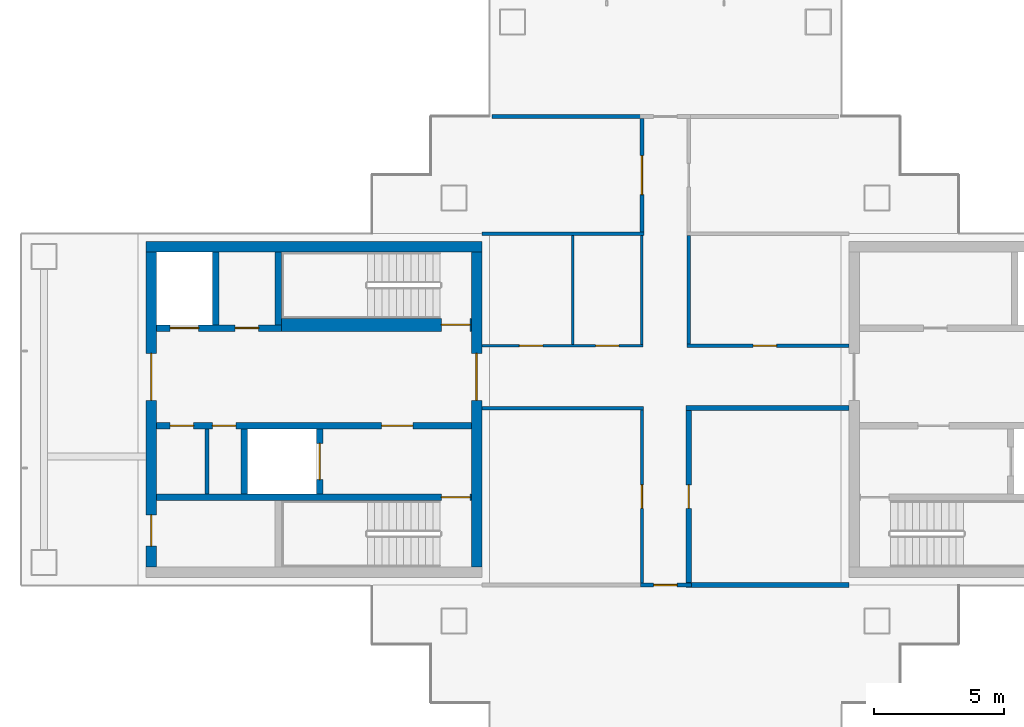
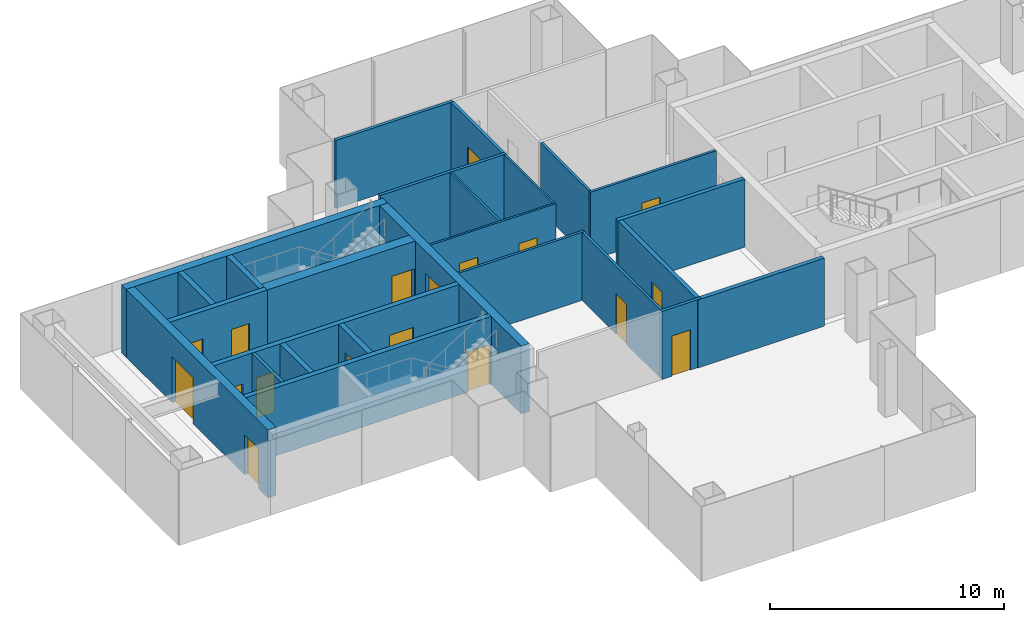
# One storey, part 9 of 16: 26 walls, 18 doors, 18 openings.
"""IFC4 building model written with IfcOpenShell, lengths in metres."""

import ifcopenshell
import ifcopenshell.guid

model = None  # the IFC model being written
_history = None  # IfcOwnerHistory: only IFC2X3 demands one
_inside = {}  # id of a spatial element -> (the spatial element, [elements in it])
_under = {}  # id of a project, library or spatial element -> (it, [spatial elements below it])
_declared = {}  # id of a project -> (the project, [libraries it declares])
_typed = {}  # id of a type object -> (the type object, [elements of that type])
_made_of = {}  # id of a material, layer set ... -> (it, [elements and type objects made of it])


def new_model(schema):
    """Start an empty IFC model of exactly this schema.

    Asked for "IFC4X3", IfcOpenShell would pick the latest addendum, in which some entities
    have other attributes; the version numbers below select the first issue.
    IFC2X3 requires an IfcOwnerHistory on every rooted entity: one is made here for all.
    """
    global model, _history
    if schema == "IFC4X3":
        model = ifcopenshell.file(schema_version=(4, 3, 0, 0))
    else:
        model = ifcopenshell.file(schema=schema)
    _inside.clear()
    _under.clear()
    _declared.clear()
    _typed.clear()
    _made_of.clear()
    _history = None
    if model.schema == "IFC2X3":
        org = make("IfcOrganization", Name="unknown")
        user = make(
            "IfcPersonAndOrganization",
            ThePerson=make("IfcPerson", FamilyName="unknown"),
            TheOrganization=org,
        )
        app = make(
            "IfcApplication",
            ApplicationDeveloper=org,
            Version="unknown",
            ApplicationFullName="unknown",
            ApplicationIdentifier="unknown",
        )
        _history = make(
            "IfcOwnerHistory",
            OwningUser=user,
            OwningApplication=app,
            ChangeAction="ADDED",
            CreationDate=0,
        )
    return model


def make(cls, **values):
    """One entity of the class cls with the attributes given. An attribute that is None is left unset."""
    return model.create_entity(
        cls, **{name: value for name, value in values.items() if value is not None}
    )


def rooted(cls, **values):
    """An entity with a GlobalId (a new one), such as an element, a storey or a relation."""
    return make(cls, GlobalId=ifcopenshell.guid.new(), OwnerHistory=_history, **values)


def si_unit(unit_type, name, prefix=None):
    """IfcSIUnit, for example si_unit("LENGTHUNIT", "METRE", prefix="MILLI")."""
    return make("IfcSIUnit", UnitType=unit_type, Prefix=prefix, Name=name)


def assignment(units):
    """IfcUnitAssignment: the units of a project."""
    return None if units is None else make("IfcUnitAssignment", Units=units)


def point(xyz):
    """IfcCartesianPoint."""
    return None if xyz is None else make("IfcCartesianPoint", Coordinates=xyz)


def direction(xyz):
    """IfcDirection."""
    return None if xyz is None else make("IfcDirection", DirectionRatios=xyz)


def frame(location, z_axis=None, x_axis=None):
    """IfcAxis2Placement3D, a coordinate frame: its origin and axes. An axis left out is left unset."""
    return make(
        "IfcAxis2Placement3D",
        Location=point(location),
        Axis=direction(z_axis),
        RefDirection=direction(x_axis),
    )


def frame_2d(location, x_axis=None):
    """IfcAxis2Placement2D, a coordinate frame in the plane: its origin and x axis."""
    return make(
        "IfcAxis2Placement2D", Location=point(location), RefDirection=direction(x_axis)
    )


def origin():
    """The frame at (0, 0, 0) with its axes left unset."""
    return frame((0.0, 0.0, 0.0))


def place(relative_to, where):
    """IfcLocalPlacement: puts the frame where relative to a parent placement (None: the world)."""
    return make(
        "IfcLocalPlacement", PlacementRelTo=relative_to, RelativePlacement=where
    )


def context(
    kind, dimensions, precision=None, world=None, true_north=None, identifier=None
):
    """IfcGeometricRepresentationContext, for example the 3D "Model" context."""
    return make(
        "IfcGeometricRepresentationContext",
        ContextIdentifier=identifier,
        ContextType=kind,
        CoordinateSpaceDimension=dimensions,
        Precision=precision,
        WorldCoordinateSystem=world,
        TrueNorth=true_north,
    )


def subcontext(parent, identifier, kind, view, scale=None):
    """IfcGeometricRepresentationSubContext, for example "Body" below "Model"."""
    return make(
        "IfcGeometricRepresentationSubContext",
        ContextIdentifier=identifier,
        ContextType=kind,
        ParentContext=parent,
        TargetScale=scale,
        TargetView=view,
    )


def project(units=None, contexts=None):
    """IfcProject with its units and contexts."""
    return rooted(
        "IfcProject",
        Name="project",
        RepresentationContexts=contexts,
        UnitsInContext=assignment(units),
    )


def spatial(cls, under=None, at=None, **own):
    """A site, building, storey or space (cls), placed at a placement, below another one or the project."""
    s = rooted(cls, ObjectPlacement=at, **own)
    if under is not None:
        _under.setdefault(under.id(), (under, []))[1].append(s)
    return s


def profile(cls, at=None, kind="AREA", **sizes):
    """A parametric profile (cls). Its sizes go by their IFC names, for example OverallWidth=200.0."""
    return make(cls, ProfileType=kind, Position=at, **sizes)


def rectangle(**sizes):
    """IfcRectangleProfileDef."""
    return profile("IfcRectangleProfileDef", **sizes)


def extrude(swept, where, along, depth):
    """IfcExtrudedAreaSolid: the profile swept, set in the frame where, extruded along a direction by depth."""
    return make(
        "IfcExtrudedAreaSolid",
        SweptArea=swept,
        Position=where,
        ExtrudedDirection=direction(along),
        Depth=depth,
    )


def shape(context_of_items, identifier, shape_type, items):
    """IfcShapeRepresentation: the items that make up one representation, for example the "Body"."""
    return make(
        "IfcShapeRepresentation",
        ContextOfItems=context_of_items,
        RepresentationIdentifier=identifier,
        RepresentationType=shape_type,
        Items=items,
    )


def material(Name=None, Category=None):
    """IfcMaterial."""
    return make("IfcMaterial", Name=Name, Category=Category)


def layer(
    of_material, thickness, ventilated=None, Name=None, Category=None, Priority=None
):
    """IfcMaterialLayer: one layer of a wall or slab, of a material (None: an air gap)."""
    return make(
        "IfcMaterialLayer",
        Material=of_material,
        LayerThickness=thickness,
        IsVentilated=ventilated,
        Name=Name,
        Category=Category,
        Priority=Priority,
    )


def layer_set(layers, Name=None):
    """IfcMaterialLayerSet."""
    return make("IfcMaterialLayerSet", MaterialLayers=layers, LayerSetName=Name)


def made_of(thing, what):
    """Note that an element or type object is made of a material, layer set ...; save() writes the relation."""
    if what is not None:
        _made_of.setdefault(what.id(), (what, []))[1].append(thing)
    return thing


def type_object(cls, material=None, **own):
    """A type object (cls), such as IfcWallType, which elements share."""
    return made_of(rooted(cls, **own), material)


def element(
    cls,
    number,
    at=None,
    inside=None,
    cuts=None,
    type_object=None,
    material=None,
    context=None,
    identifier="Body",
    shape_type=None,
    held_by="IfcProductDefinitionShape",
    body=None,
    shapes=None,
    **own,
):
    """One element of the class cls, such as IfcWall. Its Tag is "e" and its number.

    at: its placement. inside: the storey or other place that contains it. cuts: it is an
    opening in that element (IfcRelVoidsElement). A single representation is given by context,
    identifier, shape_type and body (its items); several are given by shapes. held_by: the class
    of the entity that holds the representations. save() writes the other relations.
    """
    e = rooted(cls, Tag="e%d" % number, ObjectPlacement=at, **own)
    if body is not None:
        shapes = [shape(context, identifier, shape_type, body)]
    if shapes is not None:
        e.Representation = make(held_by, Representations=shapes)
    if inside is not None:
        _inside.setdefault(inside.id(), (inside, []))[1].append(e)
    if cuts is not None:
        rooted(
            "IfcRelVoidsElement", RelatingBuildingElement=cuts, RelatedOpeningElement=e
        )
    if type_object is not None:
        _typed.setdefault(type_object.id(), (type_object, []))[1].append(e)
    return made_of(e, material)


def fill(opening, filler):
    """IfcRelFillsElement: the door or window that sits in an opening."""
    return rooted(
        "IfcRelFillsElement",
        RelatingOpeningElement=opening,
        RelatedBuildingElement=filler,
    )


def aggregate(whole, parts):
    """IfcRelAggregates: a whole, such as a stair, and the parts it consists of."""
    return rooted("IfcRelAggregates", RelatingObject=whole, RelatedObjects=parts)


def save(model, path):
    """Write the relations noted so far, then the file.

    IfcRelAggregates (storeys below a building ...), IfcRelContainedInSpatialStructure (elements
    in a storey), IfcRelDefinesByType, IfcRelAssociatesMaterial and IfcRelDeclares: one each for
    every whole, place, type object, material and project.
    """
    for whole, parts in _under.values():
        aggregate(whole, parts)
    for where, things in _inside.values():
        rooted(
            "IfcRelContainedInSpatialStructure",
            RelatedElements=things,
            RelatingStructure=where,
        )
    for kind, things in _typed.values():
        rooted("IfcRelDefinesByType", RelatedObjects=things, RelatingType=kind)
    for what, things in _made_of.values():
        rooted("IfcRelAssociatesMaterial", RelatedObjects=things, RelatingMaterial=what)
    for by, libraries in _declared.values():
        rooted("IfcRelDeclares", RelatingContext=by, RelatedDefinitions=libraries)
    model.write(path)


model = new_model("IFC4")

# Units and contexts
model_context = context("Model", 3, precision=1e-05, world=origin(), true_north=direction((0.0, 1.0)))
body_context = subcontext(model_context, "Body", "Model", "MODEL_VIEW")
ifc_project = project(units=[si_unit("LENGTHUNIT", "METRE"), si_unit("AREAUNIT", "SQUARE_METRE"), si_unit("VOLUMEUNIT", "CUBIC_METRE"), si_unit("PLANEANGLEUNIT", "RADIAN"), si_unit("MASSUNIT", "GRAM", prefix="KILO")], contexts=[model_context])

# Site, building, storey
site_placement = place(None, origin())
site = spatial("IfcSite", under=ifc_project, at=site_placement, CompositionType="ELEMENT")
building_placement = place(site_placement, origin())
building = spatial("IfcBuilding", under=site, at=building_placement, Name="Shamsa Quay Exchange Towers", CompositionType="ELEMENT")
storey_placement = place(building_placement, frame((0.0, 0.0, 213.89990234375)))
storey = spatial("IfcBuildingStorey", under=building, at=storey_placement, Name="L51", CompositionType="ELEMENT", Elevation=213.89990234375)

# Wall
ifc_material_1 = material(Name="Concrete C60/75", Category="concrete")
ifc_layer_1 = layer(ifc_material_1, 0.39990234375)
ifc_layer_set_1 = layer_set([ifc_layer_1], Name="CORE WALL 400 C60/75")
wall_type_1 = type_object("IfcWallType", Name="CORE WALL 400 C60/75", PredefinedType="SHEAR", material=ifc_layer_set_1)
wall_1_placement = place(storey_placement, frame((-40.800048828125, 6.25, 0.0), z_axis=(0.0, 0.0, 1.0), x_axis=(-1.0, 0.0, 0.0)))
element("IfcWall", 1, at=wall_1_placement, inside=storey, type_object=wall_type_1, Name="Core wall T1B-R23-PN", PredefinedType="SHEAR", context=body_context, shape_type="SweptSolid", body=[
    extrude(rectangle(XDim=12.89990234375, YDim=0.39990234375, at=frame_2d((6.449951171875, 0.0))), origin(), (0.0, 0.0, 1.0), 3.550048828125),
])

# Wall, opening, door
wall_2_placement = place(storey_placement, frame((-41.0, -6.050048828125, 0.0), z_axis=(0.0, 0.0, 1.0), x_axis=(0.0, 1.0, 0.0)))
wall_2 = element("IfcWall", 2, at=wall_2_placement, inside=storey, type_object=wall_type_1, Name="Core wall T1B-R23-PF", PredefinedType="SHEAR", context=body_context, shape_type="SweptSolid", body=[
    extrude(rectangle(XDim=12.10009765625, YDim=0.39990234375, at=frame_2d((6.050048828125, 0.0))), origin(), (0.0, 0.0, 1.0), 3.550048828125),
])
opening_1_placement = place(wall_2_placement, frame((6.39990234375, 0.0, 0.0)))
opening_1 = element("IfcOpeningElement", 3, at=opening_1_placement, cuts=wall_2, Name="Opening T1B-R23-LBD01", PredefinedType="OPENING", context=body_context, shape_type="SweptSolid", body=[
    extrude(rectangle(XDim=1.800048828125, YDim=2.39990234375, at=frame_2d((0.89990234375, 1.199951171875))), frame((0.0, 0.2099609375, 0.0), z_axis=(0.0, -1.0, 0.0), x_axis=(1.0, 0.0, 0.0)), (0.0, 0.0, 1.0), 0.419921875),
])
ifc_material_2 = material(Name="Steel, fire rated", Category="steel")
door_type_1 = type_object("IfcDoorType", Name="LIFT LOBBY DOOR PAIR 1800", OperationType="DOUBLE_DOOR_SINGLE_SWING", PredefinedType="DOOR", material=ifc_material_2)
door_1_placement = place(opening_1_placement, origin())
door_1 = element("IfcDoor", 4, at=door_1_placement, inside=storey, type_object=door_type_1, Name="T1B-R23-LBD01", OperationType="DOUBLE_DOOR_SINGLE_SWING", OverallHeight=2.39990234375, OverallWidth=1.800048828125, PredefinedType="DOOR", context=body_context, shape_type="SweptSolid", body=[
    extrude(rectangle(XDim=1.800048828125, YDim=2.39990234375, at=frame_2d((0.89990234375, 1.199951171875))), frame((0.0, 0.02490234375, 0.0), z_axis=(0.0, -1.0, 0.0), x_axis=(1.0, 0.0, 0.0)), (0.0, 0.0, 1.0), 0.050048828125),
])
fill(opening_1, door_1)

# Wall, openings, doors
wall_3_placement = place(storey_placement, frame((-53.5, -6.050048828125, 0.0), z_axis=(0.0, 0.0, 1.0), x_axis=(0.0, 1.0, 0.0)))
wall_3 = element("IfcWall", 5, at=wall_3_placement, inside=storey, type_object=wall_type_1, Name="Core wall T1B-R23-PB", PredefinedType="SHEAR", context=body_context, shape_type="SweptSolid", body=[
    extrude(rectangle(XDim=12.10009765625, YDim=0.39990234375, at=frame_2d((6.050048828125, 0.0))), origin(), (0.0, 0.0, 1.0), 3.550048828125),
])
opening_2_placement = place(wall_3_placement, frame((0.800048828125, 0.0, 0.0)))
opening_2 = element("IfcOpeningElement", 6, at=opening_2_placement, cuts=wall_3, Name="Opening T1B-R23-RD02", PredefinedType="OPENING", context=body_context, shape_type="SweptSolid", body=[
    extrude(rectangle(XDim=1.199951171875, YDim=2.10009765625, at=frame_2d((0.60009765625, 1.050048828125))), frame((0.0, 0.2099609375, 0.0), z_axis=(0.0, -1.0, 0.0), x_axis=(1.0, 0.0, 0.0)), (0.0, 0.0, 1.0), 0.419921875),
])
opening_3_placement = place(wall_3_placement, frame((6.39990234375, 0.0, 0.0)))
opening_3 = element("IfcOpeningElement", 7, at=opening_3_placement, cuts=wall_3, Name="Opening T1B-R23-LBD03", PredefinedType="OPENING", context=body_context, shape_type="SweptSolid", body=[
    extrude(rectangle(XDim=1.800048828125, YDim=2.39990234375, at=frame_2d((0.89990234375, 1.199951171875))), frame((0.0, 0.2099609375, 0.0), z_axis=(0.0, -1.0, 0.0), x_axis=(1.0, 0.0, 0.0)), (0.0, 0.0, 1.0), 0.419921875),
])
door_2_placement = place(opening_3_placement, origin())
door_2 = element("IfcDoor", 8, at=door_2_placement, inside=storey, type_object=door_type_1, Name="T1B-R23-LBD03", OperationType="DOUBLE_DOOR_SINGLE_SWING", OverallHeight=2.39990234375, OverallWidth=1.800048828125, PredefinedType="DOOR", context=body_context, shape_type="SweptSolid", body=[
    extrude(rectangle(XDim=1.800048828125, YDim=2.39990234375, at=frame_2d((0.89990234375, 1.199951171875))), frame((0.0, 0.02490234375, 0.0), z_axis=(0.0, -1.0, 0.0), x_axis=(1.0, 0.0, 0.0)), (0.0, 0.0, 1.0), 0.050048828125),
])
fill(opening_3, door_2)
door_type_2 = type_object("IfcDoorType", Name="RISER ACCESS DOOR 1200", OperationType="SINGLE_SWING_LEFT", PredefinedType="DOOR", material=ifc_material_2)
door_3_placement = place(opening_2_placement, origin())
door_3 = element("IfcDoor", 9, at=door_3_placement, inside=storey, type_object=door_type_2, Name="T1B-R23-RD02", OperationType="SINGLE_SWING_LEFT", OverallHeight=2.10009765625, OverallWidth=1.199951171875, PredefinedType="DOOR", context=body_context, shape_type="SweptSolid", body=[
    extrude(rectangle(XDim=1.199951171875, YDim=2.10009765625, at=frame_2d((0.60009765625, 1.050048828125))), frame((0.0, 0.02490234375, 0.0), z_axis=(0.0, -1.0, 0.0), x_axis=(1.0, 0.0, 0.0)), (0.0, 0.0, 1.0), 0.050048828125),
])
fill(opening_2, door_3)

# Walls
ifc_material_3 = material(Name="Gypsum board on steel studs, EI 60", Category="steel")
ifc_layer_2 = layer(ifc_material_3, 0.14990234375)
ifc_layer_set_2 = layer_set([ifc_layer_2], Name="FIRE PARTITION 150")
wall_type_2 = type_object("IfcWallType", Name="FIRE PARTITION 150", PredefinedType="PARTITIONING", material=ifc_layer_set_2)
wall_4_placement = place(storey_placement, frame((-51.35009765625, -3.25, 0.0), z_axis=(0.0, 0.0, 1.0), x_axis=(0.0, 1.0, 0.0)))
element("IfcWall", 10, at=wall_4_placement, inside=storey, type_object=wall_type_2, Name="Partition T1B-R23-EC0", PredefinedType="PARTITIONING", context=body_context, shape_type="SweptSolid", body=[
    extrude(rectangle(XDim=2.5, YDim=0.14990234375, at=frame_2d((1.25, 0.0))), origin(), (0.0, 0.0, 1.0), 3.550048828125),
])
ifc_material_4 = material(Name="Laminated fire-resisting glass in a metal frame", Category="glass")
ifc_layer_3 = layer(ifc_material_4, 0.125)
ifc_layer_set_3 = layer_set([ifc_layer_3], Name="Glazed partition 125 mm EI 60")
wall_type_3 = type_object("IfcWallType", Name="Glazed partition 125 mm EI 60", PredefinedType="PARTITIONING", material=ifc_layer_set_3)
wall_5_placement = place(storey_placement, frame((-32.849609375, 6.675048828125, 0.0), z_axis=(0.0, 0.0, 1.0), x_axis=(0.0, -1.0, 0.0)))
element("IfcWall", 11, at=wall_5_placement, inside=storey, type_object=wall_type_3, Name="Partition T1-R23-W01", PredefinedType="PARTITIONING", context=body_context, shape_type="SweptSolid", body=[
    extrude(rectangle(XDim=4.162353515625, YDim=0.125, at=frame_2d((2.0810546875, 0.0))), origin(), (0.0, 0.0, 1.0), 3.550048828125),
])

# Wall, opening, door
wall_6_placement = place(storey_placement, frame((-32.912109375, 2.4501953125, 0.0)))
wall_6 = element("IfcWall", 12, at=wall_6_placement, inside=storey, type_object=wall_type_3, Name="Partition T1-R23-W02", PredefinedType="PARTITIONING", context=body_context, shape_type="SweptSolid", body=[
    extrude(rectangle(XDim=6.212158203125, YDim=0.125, at=frame_2d((3.10595703125, 0.0))), origin(), (0.0, 0.0, 1.0), 3.550048828125),
])
opening_4_placement = place(wall_6_placement, frame((2.537353515625, 0.0, 0.0)))
opening_4 = element("IfcOpeningElement", 13, at=opening_4_placement, cuts=wall_6, Name="Opening T1-R23-D08", PredefinedType="OPENING", context=body_context, shape_type="SweptSolid", body=[
    extrude(rectangle(XDim=0.89990234375, YDim=2.10009765625, at=frame_2d((0.449951171875, 1.050048828125))), frame((0.0, 0.072509765625, 0.0), z_axis=(0.0, -1.0, 0.0), x_axis=(1.0, 0.0, 0.0)), (0.0, 0.0, 1.0), 0.14501953125),
])
ifc_material_5 = material(Name="Timber door leaf in a metal frame", Category="wood")
door_type_3 = type_object("IfcDoorType", Name="Door 900x2100 FD30S", OperationType="NOTDEFINED", PredefinedType="DOOR", material=ifc_material_5)
door_4_placement = place(opening_4_placement, origin())
door_4 = element("IfcDoor", 14, at=door_4_placement, inside=storey, type_object=door_type_3, Name="Door T1-R23-D08", OperationType="SINGLE_SWING_RIGHT", OverallHeight=2.10009765625, OverallWidth=0.89990234375, PredefinedType="DOOR", context=body_context, shape_type="SweptSolid", body=[
    extrude(rectangle(XDim=0.89990234375, YDim=2.10009765625, at=frame_2d((0.449951171875, 1.050048828125))), frame((0.0, 0.02490234375, 0.0), z_axis=(0.0, -1.0, 0.0), x_axis=(1.0, 0.0, 0.0)), (0.0, 0.0, 1.0), 0.050048828125),
])
fill(opening_4, door_4)

wall_7_placement = place(storey_placement, frame((-34.650390625, -6.675048828125, 0.0), z_axis=(0.0, 0.0, 1.0), x_axis=(0.0, 1.0, 0.0)))
wall_7 = element("IfcWall", 15, at=wall_7_placement, inside=storey, type_object=wall_type_3, Name="Partition T1-R23-W07", PredefinedType="PARTITIONING", context=body_context, shape_type="SweptSolid", body=[
    extrude(rectangle(XDim=6.662353515625, YDim=0.125, at=frame_2d((3.3310546875, 0.0))), origin(), (0.0, 0.0, 1.0), 3.550048828125),
])
opening_5_placement = place(wall_7_placement, frame((2.875, 0.0, 0.0)))
opening_5 = element("IfcOpeningElement", 16, at=opening_5_placement, cuts=wall_7, Name="Opening T1-R23-D03", PredefinedType="OPENING", context=body_context, shape_type="SweptSolid", body=[
    extrude(rectangle(XDim=0.89990234375, YDim=2.10009765625, at=frame_2d((0.449951171875, 1.050048828125))), frame((0.0, 0.072509765625, 0.0), z_axis=(0.0, -1.0, 0.0), x_axis=(1.0, 0.0, 0.0)), (0.0, 0.0, 1.0), 0.14501953125),
])
door_5_placement = place(opening_5_placement, origin())
door_5 = element("IfcDoor", 17, at=door_5_placement, inside=storey, type_object=door_type_3, Name="Door T1-R23-D03", OperationType="SINGLE_SWING_RIGHT", OverallHeight=2.10009765625, OverallWidth=0.89990234375, PredefinedType="DOOR", context=body_context, shape_type="SweptSolid", body=[
    extrude(rectangle(XDim=0.89990234375, YDim=2.10009765625, at=frame_2d((0.449951171875, 1.050048828125))), frame((0.0, 0.02490234375, 0.0), z_axis=(0.0, -1.0, 0.0), x_axis=(1.0, 0.0, 0.0)), (0.0, 0.0, 1.0), 0.050048828125),
])
fill(opening_5, door_5)

# Wall
wall_8_placement = place(storey_placement, frame((-34.587890625, 0.0498046875, 0.0), z_axis=(0.0, 0.0, 1.0), x_axis=(-1.0, 0.0, 0.0)))
element("IfcWall", 18, at=wall_8_placement, inside=storey, type_object=wall_type_3, Name="Partition T1-R23-W08", PredefinedType="PARTITIONING", context=body_context, shape_type="SweptSolid", body=[
    extrude(rectangle(XDim=6.212158203125, YDim=0.125, at=frame_2d((3.10595703125, 0.0))), origin(), (0.0, 0.0, 1.0), 3.550048828125),
])

# Wall, openings, doors
ifc_material_6 = material(Name="Gypsum board partition on metal studs")
ifc_layer_4 = layer(ifc_material_6, 0.10009765625)
ifc_layer_set_4 = layer_set([ifc_layer_4], Name="Partition 100 mm NOT RATED")
wall_type_4 = type_object("IfcWallType", Name="Partition 100 mm NOT RATED", PredefinedType="PARTITIONING", material=ifc_layer_set_4)
wall_9_placement = place(storey_placement, frame((-40.800048828125, 2.4501953125, 0.0)))
wall_9 = element("IfcWall", 19, at=wall_9_placement, inside=storey, type_object=wall_type_4, Name="Partition T1-R23-W05", PredefinedType="PARTITIONING", context=body_context, shape_type="SweptSolid", body=[
    extrude(rectangle(XDim=6.19970703125, YDim=0.10009765625, at=frame_2d((3.099853515625, 0.0))), origin(), (0.0, 0.0, 1.0), 3.550048828125),
])
opening_6_placement = place(wall_9_placement, frame((1.44384765625, 0.0, 0.0)))
opening_6 = element("IfcOpeningElement", 20, at=opening_6_placement, cuts=wall_9, Name="Opening T1-R23-D01", PredefinedType="OPENING", context=body_context, shape_type="SweptSolid", body=[
    extrude(rectangle(XDim=0.89990234375, YDim=2.10009765625, at=frame_2d((0.449951171875, 1.050048828125))), frame((0.0, 0.06005859375, 0.0), z_axis=(0.0, -1.0, 0.0), x_axis=(1.0, 0.0, 0.0)), (0.0, 0.0, 1.0), 0.1201171875),
])
opening_7_placement = place(wall_9_placement, frame((4.368408203125, 0.0, 0.0)))
opening_7 = element("IfcOpeningElement", 21, at=opening_7_placement, cuts=wall_9, Name="Opening T1-R23-D02", PredefinedType="OPENING", context=body_context, shape_type="SweptSolid", body=[
    extrude(rectangle(XDim=0.89990234375, YDim=2.10009765625, at=frame_2d((0.449951171875, 1.050048828125))), frame((0.0, 0.06005859375, 0.0), z_axis=(0.0, -1.0, 0.0), x_axis=(1.0, 0.0, 0.0)), (0.0, 0.0, 1.0), 0.1201171875),
])
door_type_4 = type_object("IfcDoorType", Name="Door 900x2100 NOT RATED", OperationType="NOTDEFINED", PredefinedType="DOOR", material=ifc_material_5)
door_6_placement = place(opening_6_placement, origin())
door_6 = element("IfcDoor", 22, at=door_6_placement, inside=storey, type_object=door_type_4, Name="Door T1-R23-D01", OperationType="SINGLE_SWING_LEFT", OverallHeight=2.10009765625, OverallWidth=0.89990234375, PredefinedType="DOOR", context=body_context, shape_type="SweptSolid", body=[
    extrude(rectangle(XDim=0.89990234375, YDim=2.10009765625, at=frame_2d((0.449951171875, 1.050048828125))), frame((0.0, 0.02490234375, 0.0), z_axis=(0.0, -1.0, 0.0), x_axis=(1.0, 0.0, 0.0)), (0.0, 0.0, 1.0), 0.050048828125),
])
fill(opening_6, door_6)
door_7_placement = place(opening_7_placement, origin())
door_7 = element("IfcDoor", 23, at=door_7_placement, inside=storey, type_object=door_type_4, Name="Door T1-R23-D02", OperationType="SINGLE_SWING_RIGHT", OverallHeight=2.10009765625, OverallWidth=0.89990234375, PredefinedType="DOOR", context=body_context, shape_type="SweptSolid", body=[
    extrude(rectangle(XDim=0.89990234375, YDim=2.10009765625, at=frame_2d((0.449951171875, 1.050048828125))), frame((0.0, 0.02490234375, 0.0), z_axis=(0.0, -1.0, 0.0), x_axis=(1.0, 0.0, 0.0)), (0.0, 0.0, 1.0), 0.050048828125),
])
fill(opening_7, door_7)

# Walls
for number, where, z_axis, x_axis, name in (
    (24, (-34.650390625, 2.500244140625, 0.0), (0.0, 0.0, 1.0), (0.0, 1.0, 0.0), "Partition T1-R23-W06"),
    (25, (-37.3125, 2.500244140625, 0.0), (0.0, 0.0, 1.0), (0.0, 1.0, 0.0), "Partition T1-R23-W16"),
):
    element("IfcWall", number, at=place(storey_placement, frame(where, z_axis=z_axis, x_axis=x_axis)), inside=storey, type_object=wall_type_4, Name=name, PredefinedType="PARTITIONING", context=body_context, shape_type="SweptSolid", body=[
        extrude(rectangle(XDim=4.1748046875, YDim=0.10009765625, at=frame_2d((2.08740234375, 0.0))), origin(), (0.0, 0.0, 1.0), 3.550048828125),
    ])

# Wall, opening, door
ifc_layer_5 = layer(ifc_material_6, 0.14990234375)
ifc_layer_set_5 = layer_set([ifc_layer_5], Name="Partition 150 mm EI 60")
wall_type_5 = type_object("IfcWallType", Name="Partition 150 mm EI 60", PredefinedType="PARTITIONING", material=ifc_layer_set_5)
wall_10_placement = place(storey_placement, frame((-34.650390625, 6.824951171875, 0.0), z_axis=(0.0, 0.0, 1.0), x_axis=(0.0, 1.0, 0.0)))
wall_10 = element("IfcWall", 26, at=wall_10_placement, inside=storey, type_object=wall_type_5, Name="Partition T1-R23-W10", PredefinedType="PARTITIONING", context=body_context, shape_type="SweptSolid", body=[
    extrude(rectangle(XDim=4.35009765625, YDim=0.14990234375, at=frame_2d((2.175048828125, 0.0))), origin(), (0.0, 0.0, 1.0), 3.550048828125),
])
opening_8_placement = place(wall_10_placement, frame((1.425048828125, 0.0, 0.0)))
opening_8 = element("IfcOpeningElement", 27, at=opening_8_placement, cuts=wall_10, Name="Opening T1-R23-D04", PredefinedType="OPENING", context=body_context, shape_type="SweptSolid", body=[
    extrude(rectangle(XDim=1.5, YDim=2.10009765625, at=frame_2d((0.75, 1.050048828125))), frame((0.0, 0.0849609375, 0.0), z_axis=(0.0, -1.0, 0.0), x_axis=(1.0, 0.0, 0.0)), (0.0, 0.0, 1.0), 0.169921875),
])
door_type_5 = type_object("IfcDoorType", Name="Door 1500x2100 FD30S pair", OperationType="NOTDEFINED", PredefinedType="DOOR", material=ifc_material_5)
door_8_placement = place(opening_8_placement, origin())
door_8 = element("IfcDoor", 28, at=door_8_placement, inside=storey, type_object=door_type_5, Name="Door T1-R23-D04", OperationType="DOUBLE_DOOR_SINGLE_SWING", OverallHeight=2.10009765625, OverallWidth=1.5, PredefinedType="DOOR", context=body_context, shape_type="SweptSolid", body=[
    extrude(rectangle(XDim=1.5, YDim=2.10009765625, at=frame_2d((0.75, 1.050048828125))), frame((0.0, 0.02490234375, 0.0), z_axis=(0.0, -1.0, 0.0), x_axis=(1.0, 0.0, 0.0)), (0.0, 0.0, 1.0), 0.050048828125),
])
fill(opening_8, door_8)

wall_11_placement = place(storey_placement, frame((-32.74951171875, -6.75, 0.0), z_axis=(0.0, 0.0, 1.0), x_axis=(-1.0, 0.0, 0.0)))
wall_11 = element("IfcWall", 29, at=wall_11_placement, inside=storey, type_object=wall_type_5, Name="Partition T1-R23-W12", PredefinedType="PARTITIONING", context=body_context, shape_type="SweptSolid", body=[
    extrude(rectangle(XDim=1.96337890625, YDim=0.14990234375, at=frame_2d((0.981689453125, 0.0))), origin(), (0.0, 0.0, 1.0), 3.550048828125),
])
opening_9_placement = place(wall_11_placement, frame((0.55029296875, 0.0, 0.0)))
opening_9 = element("IfcOpeningElement", 30, at=opening_9_placement, cuts=wall_11, Name="Opening T1-R23-D06", PredefinedType="OPENING", context=body_context, shape_type="SweptSolid", body=[
    extrude(rectangle(XDim=0.89990234375, YDim=2.10009765625, at=frame_2d((0.449951171875, 1.050048828125))), frame((0.0, 0.0849609375, 0.0), z_axis=(0.0, -1.0, 0.0), x_axis=(1.0, 0.0, 0.0)), (0.0, 0.0, 1.0), 0.169921875),
])
door_9_placement = place(opening_9_placement, origin())
door_9 = element("IfcDoor", 31, at=door_9_placement, inside=storey, type_object=door_type_3, Name="Door T1-R23-D06", OperationType="SINGLE_SWING_LEFT", OverallHeight=2.10009765625, OverallWidth=0.89990234375, PredefinedType="DOOR", context=body_context, shape_type="SweptSolid", body=[
    extrude(rectangle(XDim=0.89990234375, YDim=2.10009765625, at=frame_2d((0.449951171875, 1.050048828125))), frame((0.0, 0.02490234375, 0.0), z_axis=(0.0, -1.0, 0.0), x_axis=(1.0, 0.0, 0.0)), (0.0, 0.0, 1.0), 0.050048828125),
])
fill(opening_9, door_9)

# Walls
wall_12_placement = place(storey_placement, frame((-34.575439453125, 6.75, 0.0), z_axis=(0.0, 0.0, 1.0), x_axis=(-1.0, 0.0, 0.0)))
element("IfcWall", 32, at=wall_12_placement, inside=storey, type_object=wall_type_5, Name="Partition T1-R23-W14", PredefinedType="PARTITIONING", context=body_context, shape_type="SweptSolid", body=[
    extrude(rectangle(XDim=6.224609375, YDim=0.14990234375, at=frame_2d((3.1123046875, 0.0))), origin(), (0.0, 0.0, 1.0), 3.550048828125),
])
wall_13_placement = place(storey_placement, frame((-34.575439453125, 11.25, 0.0), z_axis=(0.0, 0.0, 1.0), x_axis=(-1.0, 0.0, 0.0)))
element("IfcWall", 33, at=wall_13_placement, inside=storey, type_object=wall_type_5, Name="Partition T1-R23-W19", PredefinedType="PARTITIONING", context=body_context, shape_type="SweptSolid", body=[
    extrude(rectangle(XDim=5.82958984375, YDim=0.14990234375, at=frame_2d((2.914794921875, 0.0))), origin(), (0.0, 0.0, 1.0), 3.550048828125),
])
ifc_layer_6 = layer(ifc_material_6, 0.199951171875)
ifc_layer_set_6 = layer_set([ifc_layer_6], Name="Partition 200 mm EI 120")
wall_type_6 = type_object("IfcWallType", Name="Partition 200 mm EI 120", PredefinedType="PARTITIONING", material=ifc_layer_set_6)
wall_14_placement = place(storey_placement, frame((-26.699951171875, 0.0498046875, 0.0), z_axis=(0.0, 0.0, 1.0), x_axis=(-1.0, 0.0, 0.0)))
element("IfcWall", 34, at=wall_14_placement, inside=storey, type_object=wall_type_6, Name="Partition T1-R23-W03", PredefinedType="PARTITIONING", context=body_context, shape_type="SweptSolid", body=[
    extrude(rectangle(XDim=6.249755859375, YDim=0.199951171875, at=frame_2d((3.125, 0.0))), origin(), (0.0, 0.0, 1.0), 3.550048828125),
])

# Wall, opening, door
wall_15_placement = place(storey_placement, frame((-32.849609375, -0.05029296875, 0.0), z_axis=(0.0, 0.0, 1.0), x_axis=(0.0, -1.0, 0.0)))
wall_15 = element("IfcWall", 35, at=wall_15_placement, inside=storey, type_object=wall_type_6, Name="Partition T1-R23-W04", PredefinedType="PARTITIONING", context=body_context, shape_type="SweptSolid", body=[
    extrude(rectangle(XDim=6.599609375, YDim=0.199951171875, at=frame_2d((3.2998046875, 0.0))), origin(), (0.0, 0.0, 1.0), 3.550048828125),
])
opening_10_placement = place(wall_15_placement, frame((2.849853515625, 0.0, 0.0)))
opening_10 = element("IfcOpeningElement", 36, at=opening_10_placement, cuts=wall_15, Name="Opening T1-R23-D07", PredefinedType="OPENING", context=body_context, shape_type="SweptSolid", body=[
    extrude(rectangle(XDim=0.89990234375, YDim=2.10009765625, at=frame_2d((0.449951171875, 1.050048828125))), frame((0.0, 0.10986328125, 0.0), z_axis=(0.0, -1.0, 0.0), x_axis=(1.0, 0.0, 0.0)), (0.0, 0.0, 1.0), 0.219970703125),
])
door_type_6 = type_object("IfcDoorType", Name="Door 900x2100 FD60", OperationType="NOTDEFINED", PredefinedType="DOOR", material=ifc_material_5)
door_10_placement = place(opening_10_placement, origin())
door_10 = element("IfcDoor", 37, at=door_10_placement, inside=storey, type_object=door_type_6, Name="Door T1-R23-D07", OperationType="SINGLE_SWING_LEFT", OverallHeight=2.10009765625, OverallWidth=0.89990234375, PredefinedType="DOOR", context=body_context, shape_type="SweptSolid", body=[
    extrude(rectangle(XDim=0.89990234375, YDim=2.10009765625, at=frame_2d((0.449951171875, 1.050048828125))), frame((0.0, 0.02490234375, 0.0), z_axis=(0.0, -1.0, 0.0), x_axis=(1.0, 0.0, 0.0)), (0.0, 0.0, 1.0), 0.050048828125),
])
fill(opening_10, door_10)

# Wall
wall_16_placement = place(storey_placement, frame((-32.94970703125, -6.75, 0.0)))
element("IfcWall", 38, at=wall_16_placement, inside=storey, type_object=wall_type_6, Name="Partition T1-R23-W15", PredefinedType="PARTITIONING", context=body_context, shape_type="SweptSolid", body=[
    extrude(rectangle(XDim=6.249755859375, YDim=0.199951171875, at=frame_2d((3.125, 0.0))), origin(), (0.0, 0.0, 1.0), 3.550048828125),
])

# Wall, opening, door
ifc_material_7 = material(Name="Concrete C50/60", Category="concrete")
ifc_layer_7 = layer(ifc_material_7, 0.25)
ifc_layer_set_7 = layer_set([ifc_layer_7], Name="SHAFT WALL 250 C50/60")
wall_type_7 = type_object("IfcWallType", Name="SHAFT WALL 250 C50/60", PredefinedType="SHEAR", material=ifc_layer_set_7)
wall_17_placement = place(storey_placement, frame((-41.199951171875, -3.375, 0.0), z_axis=(0.0, 0.0, 1.0), x_axis=(-1.0, 0.0, 0.0)))
wall_17 = element("IfcWall", 39, at=wall_17_placement, inside=storey, type_object=wall_type_7, Name="Shaft wall T1B-R23-STL", PredefinedType="SHEAR", context=body_context, shape_type="SweptSolid", body=[
    extrude(rectangle(XDim=12.10009765625, YDim=0.25, at=frame_2d((6.050048828125, 0.0))), origin(), (0.0, 0.0, 1.0), 3.550048828125),
])
opening_11_placement = place(wall_17_placement, frame((0.050048828125, 0.0, 0.0)))
opening_11 = element("IfcOpeningElement", 40, at=opening_11_placement, cuts=wall_17, Name="Opening T1B-R23-SD04", PredefinedType="OPENING", context=body_context, shape_type="SweptSolid", body=[
    extrude(rectangle(XDim=1.10009765625, YDim=2.10009765625, at=frame_2d((0.550048828125, 1.050048828125))), frame((0.0, 0.135009765625, 0.0), z_axis=(0.0, -1.0, 0.0), x_axis=(1.0, 0.0, 0.0)), (0.0, 0.0, 1.0), 0.27001953125),
])
door_type_7 = type_object("IfcDoorType", Name="STAIR DOOR 1100", OperationType="SINGLE_SWING_LEFT", PredefinedType="DOOR", material=ifc_material_2)
door_11_placement = place(opening_11_placement, origin())
door_11 = element("IfcDoor", 41, at=door_11_placement, inside=storey, type_object=door_type_7, Name="T1B-R23-SD04", OperationType="SINGLE_SWING_LEFT", OverallHeight=2.10009765625, OverallWidth=1.10009765625, PredefinedType="DOOR", context=body_context, shape_type="SweptSolid", body=[
    extrude(rectangle(XDim=1.10009765625, YDim=2.10009765625, at=frame_2d((0.550048828125, 1.050048828125))), frame((0.0, 0.02490234375, 0.0), z_axis=(0.0, -1.0, 0.0), x_axis=(1.0, 0.0, 0.0)), (0.0, 0.0, 1.0), 0.050048828125),
])
fill(opening_11, door_11)

# Wall, openings, doors
wall_18_placement = place(storey_placement, frame((-41.199951171875, -0.625, 0.0), z_axis=(0.0, 0.0, 1.0), x_axis=(-1.0, 0.0, 0.0)))
wall_18 = element("IfcWall", 42, at=wall_18_placement, inside=storey, type_object=wall_type_7, Name="Shaft wall T1B-R23-B", PredefinedType="SHEAR", context=body_context, shape_type="SweptSolid", body=[
    extrude(rectangle(XDim=12.10009765625, YDim=0.25, at=frame_2d((6.050048828125, 0.0))), origin(), (0.0, 0.0, 1.0), 3.550048828125),
])
opening_12_placement = place(wall_18_placement, frame((2.25, 0.0, 0.0)))
opening_12 = element("IfcOpeningElement", 43, at=opening_12_placement, cuts=wall_18, Name="Opening T1B-R23-FD05", PredefinedType="OPENING", context=body_context, shape_type="SweptSolid", body=[
    extrude(rectangle(XDim=1.199951171875, YDim=2.10009765625, at=frame_2d((0.60009765625, 1.050048828125))), frame((0.0, 0.135009765625, 0.0), z_axis=(0.0, -1.0, 0.0), x_axis=(1.0, 0.0, 0.0)), (0.0, 0.0, 1.0), 0.27001953125),
])
opening_13_placement = place(wall_18_placement, frame((9.050048828125, 0.0, 0.0)))
opening_13 = element("IfcOpeningElement", 44, at=opening_13_placement, cuts=wall_18, Name="Opening T1B-R23-SV06", PredefinedType="OPENING", context=body_context, shape_type="SweptSolid", body=[
    extrude(rectangle(XDim=0.89990234375, YDim=2.10009765625, at=frame_2d((0.449951171875, 1.050048828125))), frame((0.0, 0.135009765625, 0.0), z_axis=(0.0, -1.0, 0.0), x_axis=(1.0, 0.0, 0.0)), (0.0, 0.0, 1.0), 0.27001953125),
])
opening_14_placement = place(wall_18_placement, frame((10.675048828125, 0.0, 0.0)))
opening_14 = element("IfcOpeningElement", 45, at=opening_14_placement, cuts=wall_18, Name="Opening T1B-R23-SV07", PredefinedType="OPENING", context=body_context, shape_type="SweptSolid", body=[
    extrude(rectangle(XDim=0.89990234375, YDim=2.10009765625, at=frame_2d((0.449951171875, 1.050048828125))), frame((0.0, 0.135009765625, 0.0), z_axis=(0.0, -1.0, 0.0), x_axis=(1.0, 0.0, 0.0)), (0.0, 0.0, 1.0), 0.27001953125),
])
door_type_8 = type_object("IfcDoorType", Name="FIRE SERVICE LOBBY DOOR 1200", OperationType="SINGLE_SWING_LEFT", PredefinedType="DOOR", material=ifc_material_2)
door_12_placement = place(opening_12_placement, origin())
door_12 = element("IfcDoor", 46, at=door_12_placement, inside=storey, type_object=door_type_8, Name="T1B-R23-FD05", OperationType="SINGLE_SWING_LEFT", OverallHeight=2.10009765625, OverallWidth=1.199951171875, PredefinedType="DOOR", context=body_context, shape_type="SweptSolid", body=[
    extrude(rectangle(XDim=1.199951171875, YDim=2.10009765625, at=frame_2d((0.60009765625, 1.050048828125))), frame((0.0, 0.02490234375, 0.0), z_axis=(0.0, -1.0, 0.0), x_axis=(1.0, 0.0, 0.0)), (0.0, 0.0, 1.0), 0.050048828125),
])
fill(opening_12, door_12)
door_type_9 = type_object("IfcDoorType", Name="SERVICE ROOM DOOR 900", OperationType="SINGLE_SWING_LEFT", PredefinedType="DOOR", material=ifc_material_2)
door_13_placement = place(opening_13_placement, origin())
door_13 = element("IfcDoor", 47, at=door_13_placement, inside=storey, type_object=door_type_9, Name="T1B-R23-SV06", OperationType="SINGLE_SWING_RIGHT", OverallHeight=2.10009765625, OverallWidth=0.89990234375, PredefinedType="DOOR", context=body_context, shape_type="SweptSolid", body=[
    extrude(rectangle(XDim=0.89990234375, YDim=2.10009765625, at=frame_2d((0.449951171875, 1.050048828125))), frame((0.0, 0.02490234375, 0.0), z_axis=(0.0, -1.0, 0.0), x_axis=(1.0, 0.0, 0.0)), (0.0, 0.0, 1.0), 0.050048828125),
])
fill(opening_13, door_13)
door_14_placement = place(opening_14_placement, origin())
door_14 = element("IfcDoor", 48, at=door_14_placement, inside=storey, type_object=door_type_9, Name="T1B-R23-SV07", OperationType="SINGLE_SWING_RIGHT", OverallHeight=2.10009765625, OverallWidth=0.89990234375, PredefinedType="DOOR", context=body_context, shape_type="SweptSolid", body=[
    extrude(rectangle(XDim=0.89990234375, YDim=2.10009765625, at=frame_2d((0.449951171875, 1.050048828125))), frame((0.0, 0.02490234375, 0.0), z_axis=(0.0, -1.0, 0.0), x_axis=(1.0, 0.0, 0.0)), (0.0, 0.0, 1.0), 0.050048828125),
])
fill(opening_14, door_14)

# Wall, opening, door
wall_19_placement = place(storey_placement, frame((-47.02490234375, -3.25, 0.0), z_axis=(0.0, 0.0, 1.0), x_axis=(0.0, 1.0, 0.0)))
wall_19 = element("IfcWall", 49, at=wall_19_placement, inside=storey, type_object=wall_type_7, Name="Shaft wall T1B-R23-FFF", PredefinedType="SHEAR", context=body_context, shape_type="SweptSolid", body=[
    extrude(rectangle(XDim=2.5, YDim=0.25, at=frame_2d((1.25, 0.0))), origin(), (0.0, 0.0, 1.0), 3.550048828125),
])
opening_15_placement = place(wall_19_placement, frame((0.550048828125, 0.0, 0.0)))
opening_15 = element("IfcOpeningElement", 50, at=opening_15_placement, cuts=wall_19, Name="Opening T1B-R23-LDG08", PredefinedType="OPENING", context=body_context, shape_type="SweptSolid", body=[
    extrude(rectangle(XDim=1.39990234375, YDim=2.39990234375, at=frame_2d((0.699951171875, 1.199951171875))), frame((0.0, 0.135009765625, 0.0), z_axis=(0.0, -1.0, 0.0), x_axis=(1.0, 0.0, 0.0)), (0.0, 0.0, 1.0), 0.27001953125),
])
door_type_10 = type_object("IfcDoorType", Name="GOODS LIFT LANDING DOOR 1400", OperationType="SLIDING_TO_LEFT", PredefinedType="DOOR", material=ifc_material_2)
door_15_placement = place(opening_15_placement, origin())
door_15 = element("IfcDoor", 51, at=door_15_placement, inside=storey, type_object=door_type_10, Name="T1B-R23-LDG08", OperationType="SLIDING_TO_LEFT", OverallHeight=2.39990234375, OverallWidth=1.39990234375, PredefinedType="DOOR", context=body_context, shape_type="SweptSolid", body=[
    extrude(rectangle(XDim=1.39990234375, YDim=2.39990234375, at=frame_2d((0.699951171875, 1.199951171875))), frame((0.0, 0.02490234375, 0.0), z_axis=(0.0, -1.0, 0.0), x_axis=(1.0, 0.0, 0.0)), (0.0, 0.0, 1.0), 0.050048828125),
])
fill(opening_15, door_15)

# Wall
wall_20_placement = place(storey_placement, frame((-49.925048828125, -3.25, 0.0), z_axis=(0.0, 0.0, 1.0), x_axis=(0.0, 1.0, 0.0)))
element("IfcWall", 52, at=wall_20_placement, inside=storey, type_object=wall_type_7, Name="Shaft wall T1B-R23-FFB", PredefinedType="SHEAR", context=body_context, shape_type="SweptSolid", body=[
    extrude(rectangle(XDim=2.5, YDim=0.25, at=frame_2d((1.25, 0.0))), origin(), (0.0, 0.0, 1.0), 3.550048828125),
])

# Wall, openings, doors
wall_21_placement = place(storey_placement, frame((-53.300048828125, 3.125, 0.0)))
wall_21 = element("IfcWall", 53, at=wall_21_placement, inside=storey, type_object=wall_type_7, Name="Shaft wall T1B-R23-N2", PredefinedType="SHEAR", context=body_context, shape_type="SweptSolid", body=[
    extrude(rectangle(XDim=4.800048828125, YDim=0.25, at=frame_2d((2.39990234375, 0.0))), origin(), (0.0, 0.0, 1.0), 3.550048828125),
])
opening_16_placement = place(wall_21_placement, frame((0.52490234375, 0.0, 0.0)))
opening_16 = element("IfcOpeningElement", 54, at=opening_16_placement, cuts=wall_21, Name="Opening T1B-R23-LD10", PredefinedType="OPENING", context=body_context, shape_type="SweptSolid", body=[
    extrude(rectangle(XDim=1.10009765625, YDim=2.10009765625, at=frame_2d((0.550048828125, 1.050048828125))), frame((0.0, 0.135009765625, 0.0), z_axis=(0.0, -1.0, 0.0), x_axis=(1.0, 0.0, 0.0)), (0.0, 0.0, 1.0), 0.27001953125),
])
opening_17_placement = place(wall_21_placement, frame((3.02490234375, 0.0, 0.0)))
opening_17 = element("IfcOpeningElement", 55, at=opening_17_placement, cuts=wall_21, Name="Opening T1B-R23-SV11", PredefinedType="OPENING", context=body_context, shape_type="SweptSolid", body=[
    extrude(rectangle(XDim=0.89990234375, YDim=2.10009765625, at=frame_2d((0.449951171875, 1.050048828125))), frame((0.0, 0.135009765625, 0.0), z_axis=(0.0, -1.0, 0.0), x_axis=(1.0, 0.0, 0.0)), (0.0, 0.0, 1.0), 0.27001953125),
])
door_type_11 = type_object("IfcDoorType", Name="LANDING DOOR 1100", OperationType="SLIDING_TO_LEFT", PredefinedType="DOOR", material=ifc_material_2)
door_16_placement = place(opening_16_placement, origin())
door_16 = element("IfcDoor", 56, at=door_16_placement, inside=storey, type_object=door_type_11, Name="T1B-R23-LD10", OperationType="SLIDING_TO_LEFT", OverallHeight=2.10009765625, OverallWidth=1.10009765625, PredefinedType="DOOR", context=body_context, shape_type="SweptSolid", body=[
    extrude(rectangle(XDim=1.10009765625, YDim=2.10009765625, at=frame_2d((0.550048828125, 1.050048828125))), frame((0.0, 0.02490234375, 0.0), z_axis=(0.0, -1.0, 0.0), x_axis=(1.0, 0.0, 0.0)), (0.0, 0.0, 1.0), 0.050048828125),
])
fill(opening_16, door_16)
door_17_placement = place(opening_17_placement, origin())
door_17 = element("IfcDoor", 57, at=door_17_placement, inside=storey, type_object=door_type_9, Name="T1B-R23-SV11", OperationType="SINGLE_SWING_RIGHT", OverallHeight=2.10009765625, OverallWidth=0.89990234375, PredefinedType="DOOR", context=body_context, shape_type="SweptSolid", body=[
    extrude(rectangle(XDim=0.89990234375, YDim=2.10009765625, at=frame_2d((0.449951171875, 1.050048828125))), frame((0.0, 0.02490234375, 0.0), z_axis=(0.0, -1.0, 0.0), x_axis=(1.0, 0.0, 0.0)), (0.0, 0.0, 1.0), 0.050048828125),
])
fill(opening_17, door_17)

# Walls
for number, where, z_axis, x_axis, name in (
    (58, (-48.625, 3.25, 0.0), (0.0, 0.0, 1.0), (0.0, 1.0, 0.0), "Shaft wall T1B-R23-STF2"),
    (59, (-51.02490234375, 3.25, 0.0), (0.0, 0.0, 1.0), (0.0, 1.0, 0.0), "Shaft wall T1B-R23-D0"),
):
    element("IfcWall", number, at=place(storey_placement, frame(where, z_axis=z_axis, x_axis=x_axis)), inside=storey, type_object=wall_type_7, Name=name, PredefinedType="SHEAR", context=body_context, shape_type="SweptSolid", body=[
        extrude(rectangle(XDim=2.800048828125, YDim=0.25, at=frame_2d((1.39990234375, 0.0))), origin(), (0.0, 0.0, 1.0), 3.550048828125),
    ])

# Wall, opening, door
ifc_layer_8 = layer(ifc_material_7, 0.5)
ifc_layer_set_8 = layer_set([ifc_layer_8], Name="SHAFT WALL 500 C50/60")
wall_type_8 = type_object("IfcWallType", Name="SHAFT WALL 500 C50/60", PredefinedType="SHEAR", material=ifc_layer_set_8)
wall_22_placement = place(storey_placement, frame((-48.5, 3.25, 0.0)))
wall_22 = element("IfcWall", 60, at=wall_22_placement, inside=storey, type_object=wall_type_8, Name="Shaft wall T1B-R23-N", PredefinedType="SHEAR", context=body_context, shape_type="SweptSolid", body=[
    extrude(rectangle(XDim=7.300048828125, YDim=0.5, at=frame_2d((3.64990234375, 0.0))), origin(), (0.0, 0.0, 1.0), 3.550048828125),
])
opening_18_placement = place(wall_22_placement, frame((6.14990234375, 0.0, 0.0)))
opening_18 = element("IfcOpeningElement", 61, at=opening_18_placement, cuts=wall_22, Name="Opening T1B-R23-SD09", PredefinedType="OPENING", context=body_context, shape_type="SweptSolid", body=[
    extrude(rectangle(XDim=1.10009765625, YDim=2.10009765625, at=frame_2d((0.550048828125, 1.050048828125))), frame((0.0, 0.260009765625, 0.0), z_axis=(0.0, -1.0, 0.0), x_axis=(1.0, 0.0, 0.0)), (0.0, 0.0, 1.0), 0.52001953125),
])
door_18_placement = place(opening_18_placement, origin())
door_18 = element("IfcDoor", 62, at=door_18_placement, inside=storey, type_object=door_type_7, Name="T1B-R23-SD09", OperationType="SINGLE_SWING_RIGHT", OverallHeight=2.10009765625, OverallWidth=1.10009765625, PredefinedType="DOOR", context=body_context, shape_type="SweptSolid", body=[
    extrude(rectangle(XDim=1.10009765625, YDim=2.10009765625, at=frame_2d((0.550048828125, 1.050048828125))), frame((0.0, 0.02490234375, 0.0), z_axis=(0.0, -1.0, 0.0), x_axis=(1.0, 0.0, 0.0)), (0.0, 0.0, 1.0), 0.050048828125),
])
fill(opening_18, door_18)

save(model, "model.ifc")
